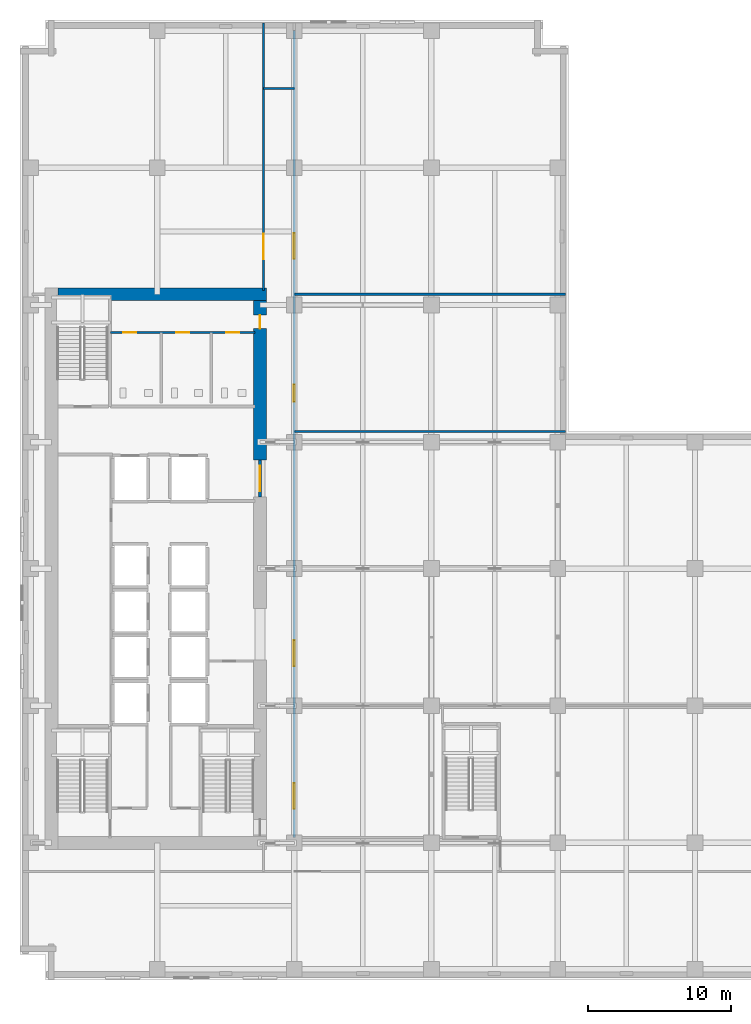
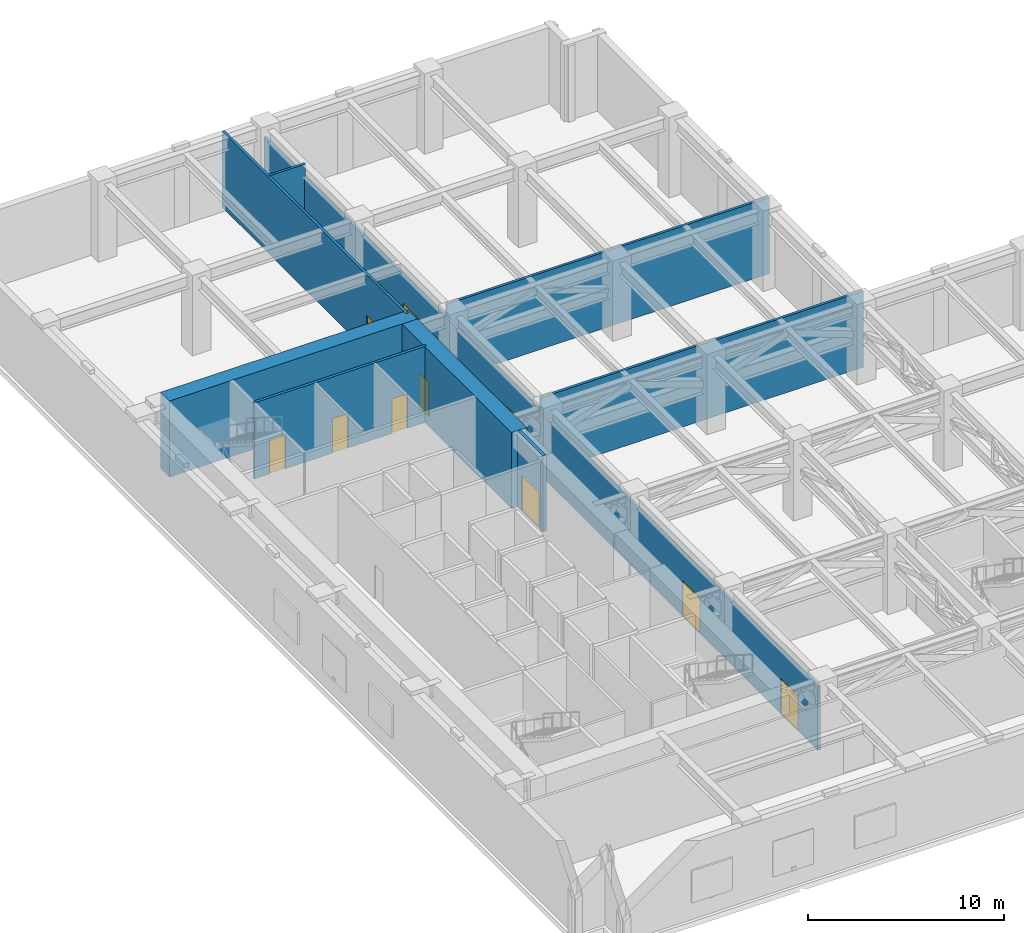
# One storey, part 15 of 22: 10 doors, 9 walls, 10 openings.
"""IFC4 building model written with IfcOpenShell, lengths in metres."""

from ifc_helpers import new_model, si_unit, direction, frame, frame_2d, origin, place, context, subcontext, project, spatial, rectangle, extrude, material, layer, layer_set, type_object, element, fill, save


model = new_model("IFC4")

# Units and contexts
model_context = context("Model", 3, precision=1e-05, world=origin(), true_north=direction((0.0, 1.0)))
body_context = subcontext(model_context, "Body", "Model", "MODEL_VIEW")
ifc_project = project(units=[si_unit("LENGTHUNIT", "METRE"), si_unit("AREAUNIT", "SQUARE_METRE"), si_unit("VOLUMEUNIT", "CUBIC_METRE"), si_unit("PLANEANGLEUNIT", "RADIAN"), si_unit("MASSUNIT", "GRAM", prefix="KILO")], contexts=[model_context])

# Site, building, storey
site_placement = place(None, origin())
site = spatial("IfcSite", under=ifc_project, at=site_placement, CompositionType="ELEMENT")
building_placement = place(site_placement, origin())
building = spatial("IfcBuilding", under=site, at=building_placement, Name="Norrvale University Quadrangle", CompositionType="ELEMENT")
storey_placement = place(building_placement, frame((0.0, 0.0, 96.39990234375)))
storey = spatial("IfcBuildingStorey", under=building, at=storey_placement, Name="L24", CompositionType="ELEMENT", Elevation=96.39990234375)

# Wall
ifc_material_1 = material(Name="Concrete C80/95", Category="concrete")
ifc_layer_1 = layer(ifc_material_1, 0.89990234375, Name="Concrete C80/95")
ifc_layer_set_1 = layer_set([ifc_layer_1], Name="Concrete C80/95")
wall_type_1 = type_object("IfcWallType", Name="Wall Core 900", PredefinedType="SHEAR", material=ifc_layer_set_1)
wall_1_placement = place(storey_placement, frame((2.64990234375, 48.0, 0.0), z_axis=(0.0, 0.0, 1.0), x_axis=(1.0, 0.0, 0.0)))
element("IfcWall", 1, at=wall_1_placement, inside=storey, type_object=wall_type_1, Name="Tower Core Shear Wall L24-N", PredefinedType="SHEAR", context=body_context, shape_type="SweptSolid", body=[
    extrude(rectangle(XDim=14.60009765625, YDim=0.89990234375, at=frame_2d((7.300048828125, 0.0))), origin(), (0.0, 0.0, 1.0), 4.739990234375),
])

# Wall, opening, door
wall_2_placement = place(storey_placement, frame((16.800048828125, 36.39990234375, 0.0), z_axis=(0.0, 0.0, 1.0), x_axis=(0.0, 1.0, 0.0)))
wall_2 = element("IfcWall", 2, at=wall_2_placement, inside=storey, type_object=wall_type_1, Name="Tower Core Shear Wall L24-E3", PredefinedType="SHEAR", context=body_context, shape_type="SweptSolid", body=[
    extrude(rectangle(XDim=11.150146484375, YDim=0.89990234375, at=frame_2d((5.5751953125, 0.0))), origin(), (0.0, 0.0, 1.0), 4.739990234375),
])
opening_1_placement = place(wall_2_placement, frame((9.199951171875, 0.0, 0.0)))
opening_1 = element("IfcOpeningElement", 3, at=opening_1_placement, cuts=wall_2, Name="Opening D07", PredefinedType="OPENING", context=body_context, shape_type="SweptSolid", body=[
    extrude(rectangle(XDim=0.949951171875, YDim=2.14990234375, at=frame_2d((0.47509765625, 1.074951171875))), frame((0.0, 0.4619140625, 0.0), z_axis=(0.0, -1.0, 0.0), x_axis=(1.0, 0.0, 0.0)), (0.0, 0.0, 1.0), 0.923828125),
])
ifc_material_2 = material(Name="Solid-Core Maple Door", Category="wood")
door_type_1 = type_object("IfcDoorType", Name="Door Office 950x2150", OperationType="NOTDEFINED", PredefinedType="DOOR", material=ifc_material_2)
door_1_placement = place(opening_1_placement, origin())
door_1 = element("IfcDoor", 4, at=door_1_placement, inside=storey, type_object=door_type_1, Name="Door Office 950x2150 DR-L24-NECORR", OperationType="SINGLE_SWING_LEFT", OverallHeight=2.14990234375, OverallWidth=0.949951171875, PredefinedType="DOOR", context=body_context, shape_type="SweptSolid", body=[
    extrude(rectangle(XDim=0.949951171875, YDim=2.14990234375, at=frame_2d((0.47509765625, 1.074951171875))), frame((0.0, 0.02490234375, 0.0), z_axis=(0.0, -1.0, 0.0), x_axis=(1.0, 0.0, 0.0)), (0.0, 0.0, 1.0), 0.050048828125),
])
fill(opening_1, door_1)

# Walls
ifc_material_3 = material(Name="Fire-Rated Gypsum Stud Partition")
ifc_layer_2 = layer(ifc_material_3, 0.14990234375, Name="Fire-Rated Gypsum Stud Partition")
ifc_layer_set_2 = layer_set([ifc_layer_2], Name="Fire-Rated Gypsum Stud Partition")
wall_type_2 = type_object("IfcWallType", Name="Wall Gypsum Corridor 150", PredefinedType="PARTITIONING", material=ifc_layer_set_2)
wall_3_placement = place(storey_placement, frame((17.050048828125, 62.39990234375, 0.0), z_axis=(0.0, 0.0, 1.0), x_axis=(1.0, 0.0, 0.0)))
element("IfcWall", 5, at=wall_3_placement, inside=storey, type_object=wall_type_2, Name="Interior Partition WL-L24-PCN", PredefinedType="PARTITIONING", context=body_context, shape_type="SweptSolid", body=[
    extrude(rectangle(XDim=2.14990234375, YDim=0.14990234375, at=frame_2d((1.074951171875, 0.0))), origin(), (0.0, 0.0, 1.0), 4.739990234375),
])
for number, where, z_axis, x_axis, name in (
    (6, (19.199951171875, 38.39990234375, 0.0), (0.0, 0.0, 1.0), (1.0, 0.0, 0.0), "Interior Partition WL-L24-RF-S"),
    (7, (19.199951171875, 48.0, 0.0), (0.0, 0.0, 1.0), (1.0, 0.0, 0.0), "Interior Partition WL-L24-RF-N"),
):
    element("IfcWall", number, at=place(storey_placement, frame(where, z_axis=z_axis, x_axis=x_axis)), inside=storey, type_object=wall_type_2, Name=name, PredefinedType="PARTITIONING", context=body_context, shape_type="SweptSolid", body=[
        extrude(rectangle(XDim=18.97998046875, YDim=0.14990234375, at=frame_2d((9.489990234375, 0.0))), origin(), (0.0, 0.0, 1.0), 4.739990234375),
    ])

# Wall, openings, doors
wall_4_placement = place(storey_placement, frame((19.199951171875, 9.97998046875, 0.0), z_axis=(0.0, 0.0, 1.0), x_axis=(0.0, 1.0, 0.0)))
wall_4 = element("IfcWall", 8, at=wall_4_placement, inside=storey, type_object=wall_type_2, Name="Interior Partition WL-L24-PE-W", PredefinedType="PARTITIONING", context=body_context, shape_type="SweptSolid", body=[
    extrude(rectangle(XDim=56.469970703125, YDim=0.14990234375, at=frame_2d((28.23486328125, 0.0))), origin(), (0.0, 0.0, 1.0), 3.967041015625),
])
opening_2_placement = place(wall_4_placement, frame((2.0, 0.0, 0.0)))
opening_2 = element("IfcOpeningElement", 9, at=opening_2_placement, cuts=wall_4, Name="Opening D03", PredefinedType="OPENING", context=body_context, shape_type="SweptSolid", body=[
    extrude(rectangle(XDim=1.800048828125, YDim=2.199951171875, at=frame_2d((0.89990234375, 1.10009765625))), frame((0.0, 0.0869140625, 0.0), z_axis=(0.0, -1.0, 0.0), x_axis=(1.0, 0.0, 0.0)), (0.0, 0.0, 1.0), 0.173828125),
])
opening_3_placement = place(wall_4_placement, frame((12.0, 0.0, 0.0)))
opening_3 = element("IfcOpeningElement", 10, at=opening_3_placement, cuts=wall_4, Name="Opening D03", PredefinedType="OPENING", context=body_context, shape_type="SweptSolid", body=[
    extrude(rectangle(XDim=1.800048828125, YDim=2.199951171875, at=frame_2d((0.89990234375, 1.10009765625))), frame((0.0, 0.0869140625, 0.0), z_axis=(0.0, -1.0, 0.0), x_axis=(1.0, 0.0, 0.0)), (0.0, 0.0, 1.0), 0.173828125),
])
opening_4_placement = place(wall_4_placement, frame((30.5, 0.0, 0.0)))
opening_4 = element("IfcOpeningElement", 11, at=opening_4_placement, cuts=wall_4, Name="Opening D05", PredefinedType="OPENING", context=body_context, shape_type="SweptSolid", body=[
    extrude(rectangle(XDim=1.199951171875, YDim=2.199951171875, at=frame_2d((0.60009765625, 1.10009765625))), frame((0.0, 0.0869140625, 0.0), z_axis=(0.0, -1.0, 0.0), x_axis=(1.0, 0.0, 0.0)), (0.0, 0.0, 1.0), 0.173828125),
])
opening_5_placement = place(wall_4_placement, frame((40.5, 0.0, 0.0)))
opening_5 = element("IfcOpeningElement", 12, at=opening_5_placement, cuts=wall_4, Name="Opening D03", PredefinedType="OPENING", context=body_context, shape_type="SweptSolid", body=[
    extrude(rectangle(XDim=1.800048828125, YDim=2.199951171875, at=frame_2d((0.89990234375, 1.10009765625))), frame((0.0, 0.0869140625, 0.0), z_axis=(0.0, -1.0, 0.0), x_axis=(1.0, 0.0, 0.0)), (0.0, 0.0, 1.0), 0.173828125),
])
ifc_material_4 = material(Name="Acoustic Oak Classroom Door", Category="wood")
door_type_2 = type_object("IfcDoorType", Name="Door Classroom 1200x2200", OperationType="NOTDEFINED", PredefinedType="DOOR", material=ifc_material_4)
door_2_placement = place(opening_4_placement, origin())
door_2 = element("IfcDoor", 13, at=door_2_placement, inside=storey, type_object=door_type_2, Name="Door Classroom 1200x2200 DR-L24-REF1", OperationType="SINGLE_SWING_LEFT", OverallHeight=2.199951171875, OverallWidth=1.199951171875, PredefinedType="DOOR", context=body_context, shape_type="SweptSolid", body=[
    extrude(rectangle(XDim=1.199951171875, YDim=2.199951171875, at=frame_2d((0.60009765625, 1.10009765625))), frame((0.0, 0.02490234375, 0.0), z_axis=(0.0, -1.0, 0.0), x_axis=(1.0, 0.0, 0.0)), (0.0, 0.0, 1.0), 0.050048828125),
])
fill(opening_4, door_2)
ifc_material_5 = material(Name="Hollow Steel 350W Fire Door", Category="steel")
door_type_3 = type_object("IfcDoorType", Name="Door Fire Lobby 1800x2200", OperationType="DOUBLE_DOOR_SINGLE_SWING", PredefinedType="DOOR", material=ifc_material_5)
door_3_placement = place(opening_2_placement, origin())
door_3 = element("IfcDoor", 14, at=door_3_placement, inside=storey, type_object=door_type_3, Name="Door Fire Lobby 1800x2200 DR-L24-SUB1", OperationType="DOUBLE_DOOR_SINGLE_SWING", OverallHeight=2.199951171875, OverallWidth=1.800048828125, PredefinedType="DOOR", context=body_context, shape_type="SweptSolid", body=[
    extrude(rectangle(XDim=1.800048828125, YDim=2.199951171875, at=frame_2d((0.89990234375, 1.10009765625))), frame((0.0, 0.02490234375, 0.0), z_axis=(0.0, -1.0, 0.0), x_axis=(1.0, 0.0, 0.0)), (0.0, 0.0, 1.0), 0.050048828125),
])
fill(opening_2, door_3)
door_4_placement = place(opening_3_placement, origin())
door_4 = element("IfcDoor", 15, at=door_4_placement, inside=storey, type_object=door_type_3, Name="Door Fire Lobby 1800x2200 DR-L24-AHU1", OperationType="DOUBLE_DOOR_SINGLE_SWING", OverallHeight=2.199951171875, OverallWidth=1.800048828125, PredefinedType="DOOR", context=body_context, shape_type="SweptSolid", body=[
    extrude(rectangle(XDim=1.800048828125, YDim=2.199951171875, at=frame_2d((0.89990234375, 1.10009765625))), frame((0.0, 0.02490234375, 0.0), z_axis=(0.0, -1.0, 0.0), x_axis=(1.0, 0.0, 0.0)), (0.0, 0.0, 1.0), 0.050048828125),
])
fill(opening_3, door_4)
door_5_placement = place(opening_5_placement, origin())
door_5 = element("IfcDoor", 16, at=door_5_placement, inside=storey, type_object=door_type_3, Name="Door Fire Lobby 1800x2200 DR-L24-FAN1", OperationType="DOUBLE_DOOR_SINGLE_SWING", OverallHeight=2.199951171875, OverallWidth=1.800048828125, PredefinedType="DOOR", context=body_context, shape_type="SweptSolid", body=[
    extrude(rectangle(XDim=1.800048828125, YDim=2.199951171875, at=frame_2d((0.89990234375, 1.10009765625))), frame((0.0, 0.02490234375, 0.0), z_axis=(0.0, -1.0, 0.0), x_axis=(1.0, 0.0, 0.0)), (0.0, 0.0, 1.0), 0.050048828125),
])
fill(opening_5, door_5)

# Wall, opening, door
wall_5_placement = place(storey_placement, frame((17.050048828125, 48.25, 0.0), z_axis=(0.0, 0.0, 1.0), x_axis=(0.0, 1.0, 0.0)))
wall_5 = element("IfcWall", 17, at=wall_5_placement, inside=storey, type_object=wall_type_2, Name="Interior Partition WL-L24-TNK-E", PredefinedType="PARTITIONING", context=body_context, shape_type="SweptSolid", body=[
    extrude(rectangle(XDim=18.72998046875, YDim=0.14990234375, at=frame_2d((9.364990234375, 0.0))), origin(), (0.0, 0.0, 1.0), 4.739990234375),
])
opening_6_placement = place(wall_5_placement, frame((2.199951171875, 0.0, 0.0)))
opening_6 = element("IfcOpeningElement", 18, at=opening_6_placement, cuts=wall_5, Name="Opening D03", PredefinedType="OPENING", context=body_context, shape_type="SweptSolid", body=[
    extrude(rectangle(XDim=1.800048828125, YDim=2.199951171875, at=frame_2d((0.89990234375, 1.10009765625))), frame((0.0, 0.0869140625, 0.0), z_axis=(0.0, -1.0, 0.0), x_axis=(1.0, 0.0, 0.0)), (0.0, 0.0, 1.0), 0.173828125),
])
door_6_placement = place(opening_6_placement, origin())
door_6 = element("IfcDoor", 19, at=door_6_placement, inside=storey, type_object=door_type_3, Name="Door Fire Lobby 1800x2200 DR-L24-TNK1", OperationType="DOUBLE_DOOR_SINGLE_SWING", OverallHeight=2.199951171875, OverallWidth=1.800048828125, PredefinedType="DOOR", context=body_context, shape_type="SweptSolid", body=[
    extrude(rectangle(XDim=1.800048828125, YDim=2.199951171875, at=frame_2d((0.89990234375, 1.10009765625))), frame((0.0, 0.02490234375, 0.0), z_axis=(0.0, -1.0, 0.0), x_axis=(1.0, 0.0, 0.0)), (0.0, 0.0, 1.0), 0.050048828125),
])
fill(opening_6, door_6)

# Wall, openings, doors
ifc_material_6 = material(Name="Sanitary Chase Gypsum Partition")
ifc_layer_3 = layer(ifc_material_6, 0.1650390625, Name="Sanitary Chase Gypsum Partition")
ifc_layer_set_3 = layer_set([ifc_layer_3], Name="Sanitary Chase Gypsum Partition")
wall_type_3 = type_object("IfcWallType", Name="Wall Gypsum Sanitary 165", PredefinedType="PLUMBINGWALL", material=ifc_layer_set_3)
wall_6_placement = place(storey_placement, frame((6.320068359375, 45.320068359375, 0.0), z_axis=(0.0, 0.0, 1.0), x_axis=(1.0, 0.0, 0.0)))
wall_6 = element("IfcWall", 20, at=wall_6_placement, inside=storey, type_object=wall_type_3, Name="Interior Partition WL-L24-WCN", PredefinedType="PLUMBINGWALL", context=body_context, shape_type="SweptSolid", body=[
    extrude(rectangle(XDim=10.1298828125, YDim=0.1650390625, at=frame_2d((5.06494140625, 0.0))), origin(), (0.0, 0.0, 1.0), 4.739990234375),
])
opening_7_placement = place(wall_6_placement, frame((0.89990234375, 0.0, 0.0)))
opening_7 = element("IfcOpeningElement", 21, at=opening_7_placement, cuts=wall_6, Name="Opening D08", PredefinedType="OPENING", context=body_context, shape_type="SweptSolid", body=[
    extrude(rectangle(XDim=0.919921875, YDim=2.14990234375, at=frame_2d((0.4599609375, 1.074951171875))), frame((0.0, 0.094482421875, 0.0), z_axis=(0.0, -1.0, 0.0), x_axis=(1.0, 0.0, 0.0)), (0.0, 0.0, 1.0), 0.18896484375),
])
opening_8_placement = place(wall_6_placement, frame((4.60009765625, 0.0, 0.0)))
opening_8 = element("IfcOpeningElement", 22, at=opening_8_placement, cuts=wall_6, Name="Opening D08", PredefinedType="OPENING", context=body_context, shape_type="SweptSolid", body=[
    extrude(rectangle(XDim=0.919921875, YDim=2.14990234375, at=frame_2d((0.4599609375, 1.074951171875))), frame((0.0, 0.094482421875, 0.0), z_axis=(0.0, -1.0, 0.0), x_axis=(1.0, 0.0, 0.0)), (0.0, 0.0, 1.0), 0.18896484375),
])
opening_9_placement = place(wall_6_placement, frame((8.10009765625, 0.0, 0.0)))
opening_9 = element("IfcOpeningElement", 23, at=opening_9_placement, cuts=wall_6, Name="Opening D08", PredefinedType="OPENING", context=body_context, shape_type="SweptSolid", body=[
    extrude(rectangle(XDim=0.919921875, YDim=2.14990234375, at=frame_2d((0.4599609375, 1.074951171875))), frame((0.0, 0.094482421875, 0.0), z_axis=(0.0, -1.0, 0.0), x_axis=(1.0, 0.0, 0.0)), (0.0, 0.0, 1.0), 0.18896484375),
])
ifc_material_7 = material(Name="Laminate Washroom Door", Category="wood")
door_type_4 = type_object("IfcDoorType", Name="Door Washroom 920x2150", OperationType="NOTDEFINED", PredefinedType="DOOR", material=ifc_material_7)
door_7_placement = place(opening_7_placement, origin())
door_7 = element("IfcDoor", 24, at=door_7_placement, inside=storey, type_object=door_type_4, Name="Door Washroom 920x2150 DR-L24-WC1", OperationType="SINGLE_SWING_LEFT", OverallHeight=2.14990234375, OverallWidth=0.919921875, PredefinedType="DOOR", context=body_context, shape_type="SweptSolid", body=[
    extrude(rectangle(XDim=0.919921875, YDim=2.14990234375, at=frame_2d((0.4599609375, 1.074951171875))), frame((0.0, 0.02490234375, 0.0), z_axis=(0.0, -1.0, 0.0), x_axis=(1.0, 0.0, 0.0)), (0.0, 0.0, 1.0), 0.050048828125),
])
fill(opening_7, door_7)
door_8_placement = place(opening_8_placement, origin())
door_8 = element("IfcDoor", 25, at=door_8_placement, inside=storey, type_object=door_type_4, Name="Door Washroom 920x2150 DR-L24-WC2", OperationType="SINGLE_SWING_RIGHT", OverallHeight=2.14990234375, OverallWidth=0.919921875, PredefinedType="DOOR", context=body_context, shape_type="SweptSolid", body=[
    extrude(rectangle(XDim=0.919921875, YDim=2.14990234375, at=frame_2d((0.4599609375, 1.074951171875))), frame((0.0, 0.02490234375, 0.0), z_axis=(0.0, -1.0, 0.0), x_axis=(1.0, 0.0, 0.0)), (0.0, 0.0, 1.0), 0.050048828125),
])
fill(opening_8, door_8)
door_9_placement = place(opening_9_placement, origin())
door_9 = element("IfcDoor", 26, at=door_9_placement, inside=storey, type_object=door_type_4, Name="Door Washroom 920x2150 DR-L24-WC3", OperationType="SINGLE_SWING_LEFT", OverallHeight=2.14990234375, OverallWidth=0.919921875, PredefinedType="DOOR", context=body_context, shape_type="SweptSolid", body=[
    extrude(rectangle(XDim=0.919921875, YDim=2.14990234375, at=frame_2d((0.4599609375, 1.074951171875))), frame((0.0, 0.02490234375, 0.0), z_axis=(0.0, -1.0, 0.0), x_axis=(1.0, 0.0, 0.0)), (0.0, 0.0, 1.0), 0.050048828125),
])
fill(opening_9, door_9)

# Wall, opening, door
ifc_material_8 = material(Name="Concrete Blockwork 20 MPa Rated Wall", Category="masonry")
ifc_layer_4 = layer(ifc_material_8, 0.199951171875, Name="Concrete Blockwork 20 MPa Rated Wall")
ifc_layer_set_4 = layer_set([ifc_layer_4], Name="Concrete Blockwork 20 MPa Rated Wall")
wall_type_4 = type_object("IfcWallType", Name="Wall Lobby 200", PredefinedType="SOLIDWALL", material=ifc_layer_set_4)
wall_7_placement = place(storey_placement, frame((16.800048828125, 33.800048828125, 0.0), z_axis=(0.0, 0.0, 1.0), x_axis=(0.0, 1.0, 0.0)))
wall_7 = element("IfcWall", 27, at=wall_7_placement, inside=storey, type_object=wall_type_4, Name="Interior Partition WL-L24-FFP", PredefinedType="SOLIDWALL", context=body_context, shape_type="SweptSolid", body=[
    extrude(rectangle(XDim=2.599853515625, YDim=0.199951171875, at=frame_2d((1.2998046875, 0.0))), origin(), (0.0, 0.0, 1.0), 4.739990234375),
])
opening_10_placement = place(wall_7_placement, frame((0.39990234375, 0.0, 0.0)))
opening_10 = element("IfcOpeningElement", 28, at=opening_10_placement, cuts=wall_7, Name="Opening D03", PredefinedType="OPENING", context=body_context, shape_type="SweptSolid", body=[
    extrude(rectangle(XDim=1.800048828125, YDim=2.199951171875, at=frame_2d((0.89990234375, 1.10009765625))), frame((0.0, 0.112060546875, 0.0), z_axis=(0.0, -1.0, 0.0), x_axis=(1.0, 0.0, 0.0)), (0.0, 0.0, 1.0), 0.223876953125),
])
door_10_placement = place(opening_10_placement, origin())
door_10 = element("IfcDoor", 29, at=door_10_placement, inside=storey, type_object=door_type_3, Name="Door Fire Lobby 1800x2200 DR-L24-FFP", OperationType="DOUBLE_DOOR_SINGLE_SWING", OverallHeight=2.199951171875, OverallWidth=1.800048828125, PredefinedType="DOOR", context=body_context, shape_type="SweptSolid", body=[
    extrude(rectangle(XDim=1.800048828125, YDim=2.199951171875, at=frame_2d((0.89990234375, 1.10009765625))), frame((0.0, 0.02490234375, 0.0), z_axis=(0.0, -1.0, 0.0), x_axis=(1.0, 0.0, 0.0)), (0.0, 0.0, 1.0), 0.050048828125),
])
fill(opening_10, door_10)

save(model, "model.ifc")
